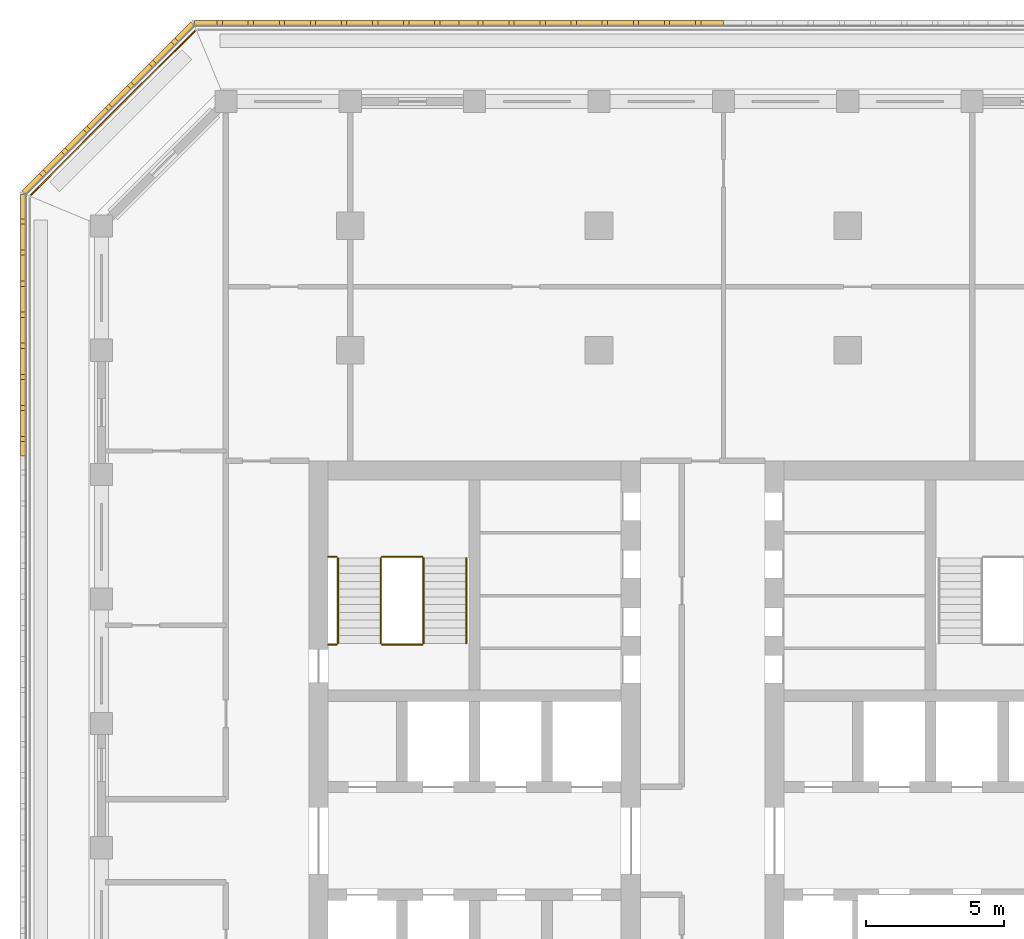
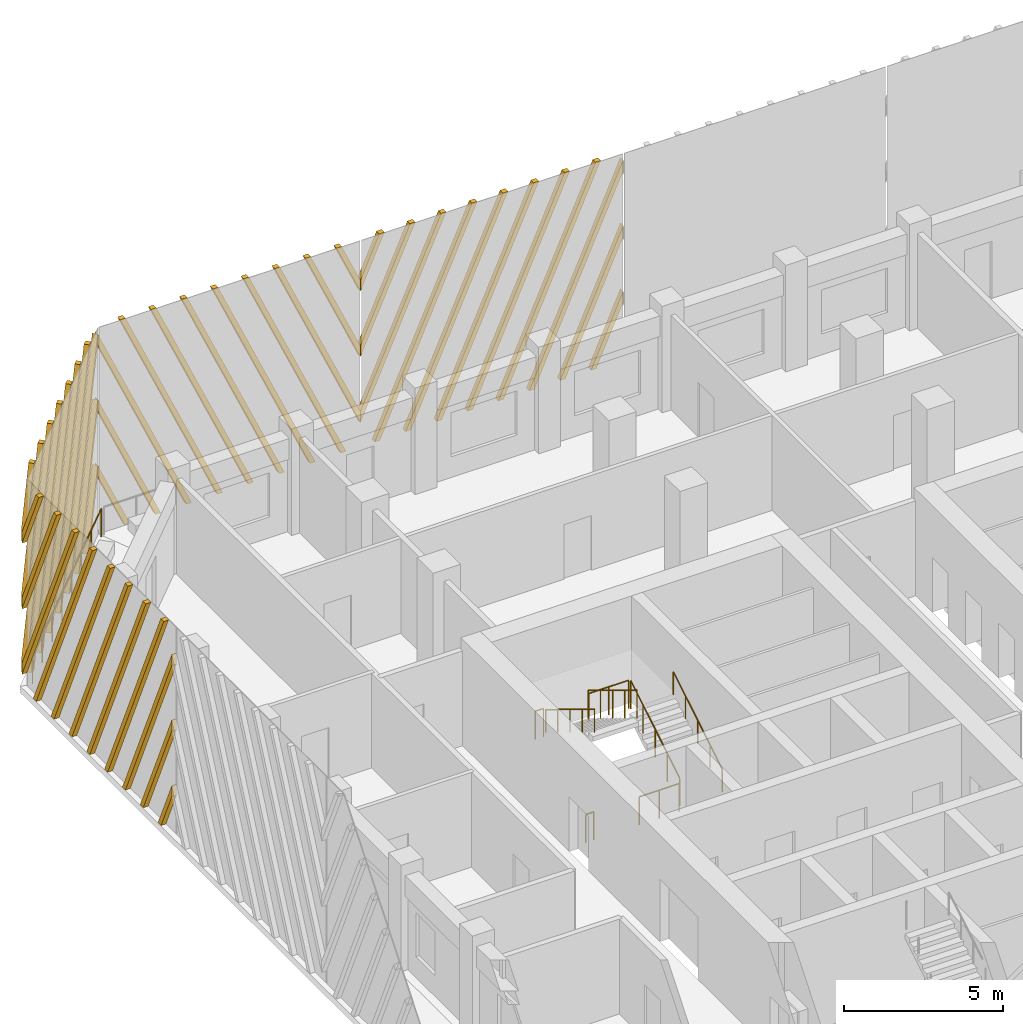
# One storey, part 14 of 17: 9 railings, 4 shading devices.
"""IFC4 building model written with IfcOpenShell, lengths in metres."""

from ifc_helpers import new_model, si_unit, direction, frame, origin, origin_2d, place, context, subcontext, project, spatial, polyline, circle, outline, extrude, source, transform, mapped, material, type_object, element, save


model = new_model("IFC4")

# Units and contexts
model_context = context("Model", 3, precision=1e-05, world=origin(), true_north=direction((0.0, 1.0)))
body_context = subcontext(model_context, "Body", "Model", "MODEL_VIEW")
ifc_project = project(units=[si_unit("LENGTHUNIT", "METRE"), si_unit("AREAUNIT", "SQUARE_METRE"), si_unit("VOLUMEUNIT", "CUBIC_METRE"), si_unit("PLANEANGLEUNIT", "RADIAN"), si_unit("MASSUNIT", "GRAM", prefix="KILO")], contexts=[model_context])

# Site, building, storey
site_placement = place(None, origin())
site = spatial("IfcSite", under=ifc_project, at=site_placement, CompositionType="ELEMENT")
building_placement = place(site_placement, origin())
building = spatial("IfcBuilding", under=site, at=building_placement, Name="Corbel Stack Research Tower", CompositionType="ELEMENT")
storey_placement = place(building_placement, frame((0.0, 0.0, 239.800048828125)))
storey = spatial("IfcBuildingStorey", under=building, at=storey_placement, Name="L54", CompositionType="ELEMENT", Elevation=239.800048828125)

# Railings
ifc_material_1 = material(Name="Steel S355", Category="steel")
railing_type_1 = type_object("IfcRailingType", Name="Stair guard 1100", PredefinedType="GUARDRAIL", material=ifc_material_1)
railing_1_placement = place(storey_placement, frame((-6.35009765625, 11.89990234375, 0.1708984375)))
element("IfcRailing", 1, at=railing_1_placement, inside=storey, type_object=railing_type_1, Name="L54 ST-W2 stair guard 1", PredefinedType="GUARDRAIL", context=body_context, shape_type="SweptSolid", body=[
    extrude(circle(Radius=0.02392578125, at=origin_2d()), frame((0.0, 0.0, 1.076171875), z_axis=(0.0, 0.853666305674, 0.52082035152), x_axis=(-1.0, 0.0, 0.0)), (0.0, 0.0, 1.0), 3.608154296875),
    extrude(circle(Radius=0.02099609375, at=origin_2d()), origin(), (0.0, 0.0, 1.0), 1.052001953125),
    extrude(circle(Radius=0.02099609375, at=origin_2d()), frame((0.0, 0.77001953125, 0.4697265625)), (0.0, 0.0, 1.0), 1.052001953125),
    extrude(circle(Radius=0.02099609375, at=origin_2d()), frame((0.0, 1.5400390625, 0.939453125)), (0.0, 0.0, 1.0), 1.052001953125),
    extrude(circle(Radius=0.02099609375, at=origin_2d()), frame((0.0, 2.31005859375, 1.409423828125)), (0.0, 0.0, 1.0), 1.052001953125),
    extrude(circle(Radius=0.02099609375, at=origin_2d()), frame((0.0, 3.080078125, 1.879150390625)), (0.0, 0.0, 1.0), 1.052001953125),
])
railing_2_placement = place(storey_placement, frame((-6.39990234375, 15.030029296875, 2.050048828125)))
element("IfcRailing", 2, at=railing_2_placement, inside=storey, type_object=railing_type_1, Name="L54 ST-W2 stair guard 2", PredefinedType="GUARDRAIL", context=body_context, shape_type="SweptSolid", body=[
    extrude(circle(Radius=0.02392578125, at=origin_2d()), frame((0.0, 0.0, 1.076171875), z_axis=(-1.0, 0.0, 0.0), x_axis=(0.0, -1.0, 0.0)), (0.0, 0.0, 1.0), 1.4501953125),
    extrude(circle(Radius=0.02099609375, at=origin_2d()), origin(), (0.0, 0.0, 1.0), 1.052001953125),
    extrude(circle(Radius=0.02099609375, at=origin_2d()), frame((-0.72509765625, 0.0, 0.0)), (0.0, 0.0, 1.0), 1.052001953125),
    extrude(circle(Radius=0.02099609375, at=origin_2d()), frame((-1.4501953125, 0.0, 0.0)), (0.0, 0.0, 1.0), 1.052001953125),
])
railing_3_placement = place(storey_placement, frame((-9.5, 15.030029296875, 2.050048828125)))
element("IfcRailing", 3, at=railing_3_placement, inside=storey, type_object=railing_type_1, Name="L54 ST-W2 stair guard 3", PredefinedType="GUARDRAIL", context=body_context, shape_type="SweptSolid", body=[
    extrude(circle(Radius=0.02392578125, at=origin_2d()), frame((0.0, 0.0, 1.076171875), z_axis=(-1.0, 0.0, 0.0), x_axis=(0.0, -1.0, 0.0)), (0.0, 0.0, 1.0), 0.300048828125),
    extrude(circle(Radius=0.02099609375, at=origin_2d()), origin(), (0.0, 0.0, 1.0), 1.052001953125),
    extrude(circle(Radius=0.02099609375, at=origin_2d()), frame((-0.300048828125, 0.0, 0.0)), (0.0, 0.0, 1.0), 1.052001953125),
])
railing_4_placement = place(storey_placement, frame((-7.89990234375, 14.97998046875, 2.220703125)))
element("IfcRailing", 4, at=railing_4_placement, inside=storey, type_object=railing_type_1, Name="L54 ST-W2 stair guard 4", PredefinedType="GUARDRAIL", context=body_context, shape_type="SweptSolid", body=[
    extrude(circle(Radius=0.02392578125, at=origin_2d()), frame((0.0, 0.0, 1.076171875), z_axis=(0.0, -0.853666305674, 0.52082035152), x_axis=(1.0, 0.0, 0.0)), (0.0, 0.0, 1.0), 3.608154296875),
    extrude(circle(Radius=0.02099609375, at=origin_2d()), origin(), (0.0, 0.0, 1.0), 1.052001953125),
    extrude(circle(Radius=0.02099609375, at=origin_2d()), frame((0.0, -0.77001953125, 0.4697265625)), (0.0, 0.0, 1.0), 1.052001953125),
    extrude(circle(Radius=0.02099609375, at=origin_2d()), frame((0.0, -1.5400390625, 0.939453125)), (0.0, 0.0, 1.0), 1.052001953125),
    extrude(circle(Radius=0.02099609375, at=origin_2d()), frame((0.0, -2.31005859375, 1.409423828125)), (0.0, 0.0, 1.0), 1.052001953125),
    extrude(circle(Radius=0.02099609375, at=origin_2d()), frame((0.0, -3.080078125, 1.879150390625)), (0.0, 0.0, 1.0), 1.052001953125),
])
railing_5_placement = place(storey_placement, frame((-6.39990234375, 11.85009765625, 0.0)))
element("IfcRailing", 5, at=railing_5_placement, inside=storey, type_object=railing_type_1, Name="L54 ST-W2 stair guard 5", PredefinedType="GUARDRAIL", context=body_context, shape_type="SweptSolid", body=[
    extrude(circle(Radius=0.02392578125, at=origin_2d()), frame((0.0, 0.0, 1.076171875), z_axis=(-1.0, 0.0, 0.0), x_axis=(0.0, -1.0, 0.0)), (0.0, 0.0, 1.0), 1.4501953125),
    extrude(circle(Radius=0.02099609375, at=origin_2d()), origin(), (0.0, 0.0, 1.0), 1.052001953125),
    extrude(circle(Radius=0.02099609375, at=origin_2d()), frame((-0.72509765625, 0.0, 0.0)), (0.0, 0.0, 1.0), 1.052001953125),
    extrude(circle(Radius=0.02099609375, at=origin_2d()), frame((-1.4501953125, 0.0, 0.0)), (0.0, 0.0, 1.0), 1.052001953125),
])
railing_6_placement = place(storey_placement, frame((-9.5, 11.85009765625, 0.0)))
element("IfcRailing", 6, at=railing_6_placement, inside=storey, type_object=railing_type_1, Name="L54 ST-W2 stair guard 6", PredefinedType="GUARDRAIL", context=body_context, shape_type="SweptSolid", body=[
    extrude(circle(Radius=0.02392578125, at=origin_2d()), frame((0.0, 0.0, 1.076171875), z_axis=(-1.0, 0.0, 0.0), x_axis=(0.0, -1.0, 0.0)), (0.0, 0.0, 1.0), 0.300048828125),
    extrude(circle(Radius=0.02099609375, at=origin_2d()), origin(), (0.0, 0.0, 1.0), 1.052001953125),
    extrude(circle(Radius=0.02099609375, at=origin_2d()), frame((-0.300048828125, 0.0, 0.0)), (0.0, 0.0, 1.0), 1.052001953125),
])
ifc_material_2 = material(Name="Steel S355", Category="steel")
railing_type_2 = type_object("IfcRailingType", Name="Stair handrail 900", PredefinedType="HANDRAIL", material=ifc_material_2)
railing_7_placement = place(storey_placement, frame((-4.800048828125, 11.89990234375, 0.1708984375)))
element("IfcRailing", 7, at=railing_7_placement, inside=storey, type_object=railing_type_2, Name="L54 ST-W2 stair handrail 1", PredefinedType="HANDRAIL", context=body_context, shape_type="SweptSolid", body=[
    extrude(circle(Radius=0.02392578125, at=origin_2d()), frame((0.0, 0.0, 0.8759765625), z_axis=(0.0, 0.853666305674, 0.52082035152), x_axis=(-1.0, 0.0, 0.0)), (0.0, 0.0, 1.0), 3.608154296875),
    extrude(circle(Radius=0.02099609375, at=origin_2d()), origin(), (0.0, 0.0, 1.0), 0.851806640625),
    extrude(circle(Radius=0.02099609375, at=origin_2d()), frame((0.0, 0.77001953125, 0.4697265625)), (0.0, 0.0, 1.0), 0.851806640625),
    extrude(circle(Radius=0.02099609375, at=origin_2d()), frame((0.0, 1.5400390625, 0.939453125)), (0.0, 0.0, 1.0), 0.851806640625),
    extrude(circle(Radius=0.02099609375, at=origin_2d()), frame((0.0, 2.31005859375, 1.409423828125)), (0.0, 0.0, 1.0), 0.851806640625),
    extrude(circle(Radius=0.02099609375, at=origin_2d()), frame((0.0, 3.080078125, 1.879150390625)), (0.0, 0.0, 1.0), 0.851806640625),
])
railing_8_placement = place(storey_placement, frame((-9.449951171875, 14.97998046875, 2.220703125)))
element("IfcRailing", 8, at=railing_8_placement, inside=storey, type_object=railing_type_2, Name="L54 ST-W2 stair handrail 2", PredefinedType="HANDRAIL", context=body_context, shape_type="SweptSolid", body=[
    extrude(circle(Radius=0.02392578125, at=origin_2d()), frame((0.0, 0.0, 0.8759765625), z_axis=(0.0, -0.853666305674, 0.52082035152), x_axis=(1.0, 0.0, 0.0)), (0.0, 0.0, 1.0), 3.608154296875),
    extrude(circle(Radius=0.02099609375, at=origin_2d()), origin(), (0.0, 0.0, 1.0), 0.851806640625),
    extrude(circle(Radius=0.02099609375, at=origin_2d()), frame((0.0, -0.77001953125, 0.4697265625)), (0.0, 0.0, 1.0), 0.851806640625),
    extrude(circle(Radius=0.02099609375, at=origin_2d()), frame((0.0, -1.5400390625, 0.939453125)), (0.0, 0.0, 1.0), 0.851806640625),
    extrude(circle(Radius=0.02099609375, at=origin_2d()), frame((0.0, -2.31005859375, 1.409423828125)), (0.0, 0.0, 1.0), 0.851806640625),
    extrude(circle(Radius=0.02099609375, at=origin_2d()), frame((0.0, -3.080078125, 1.879150390625)), (0.0, 0.0, 1.0), 0.851806640625),
])
ifc_material_3 = material(Name="Powder-coated steel guard", Category="steel")
railing_type_3 = type_object("IfcRailingType", Name="Steel and glass guard 1100", PredefinedType="GUARDRAIL", material=ifc_material_3)
railing_9_placement = place(storey_placement, frame((-14.627685546875, 34.04931640625, 0.0)))
element("IfcRailing", 9, at=railing_9_placement, inside=storey, type_object=railing_type_3, Name="Loggia guard L54 NW", PredefinedType="GUARDRAIL", context=body_context, shape_type="SweptSolid", body=[
    extrude(circle(Radius=0.02392578125, at=origin_2d()), frame((0.0, 0.0, 1.076171875), z_axis=(-0.707106781187, -0.707106781187, 0.0), x_axis=(0.707106781187, -0.707106781187, 0.0)), (0.0, 0.0, 1.0), 8.37451171875),
    extrude(circle(Radius=0.02099609375, at=origin_2d()), origin(), (0.0, 0.0, 1.0), 1.052001953125),
    extrude(circle(Radius=0.02099609375, at=origin_2d()), frame((-0.845947265625, -0.845947265625, 0.0)), (0.0, 0.0, 1.0), 1.052001953125),
    extrude(circle(Radius=0.02099609375, at=origin_2d()), frame((-1.69189453125, -1.69189453125, 0.0)), (0.0, 0.0, 1.0), 1.052001953125),
    extrude(circle(Radius=0.02099609375, at=origin_2d()), frame((-2.537841796875, -2.537841796875, 0.0)), (0.0, 0.0, 1.0), 1.052001953125),
    extrude(circle(Radius=0.02099609375, at=origin_2d()), frame((-3.3837890625, -3.3837890625, 0.0)), (0.0, 0.0, 1.0), 1.052001953125),
    extrude(circle(Radius=0.02099609375, at=origin_2d()), frame((-4.229736328125, -4.229736328125, 0.0)), (0.0, 0.0, 1.0), 1.052001953125),
    extrude(circle(Radius=0.02099609375, at=origin_2d()), frame((-5.07568359375, -5.07568359375, 0.0)), (0.0, 0.0, 1.0), 1.052001953125),
    extrude(circle(Radius=0.02099609375, at=origin_2d()), frame((-5.921630859375, -5.921630859375, 0.0)), (0.0, 0.0, 1.0), 1.052001953125),
])

# Shading devices
ifc_material_4 = material(Name="Precast terracotta", Category="masonry")
shading_device_type = type_object("IfcShadingDeviceType", Name="Terracotta screen panel", PredefinedType="USERDEFINED", material=ifc_material_4)
shared_shape_1 = source(origin(), body_context, "Body", "SweptSolid", [
    extrude(outline(polyline([(1.072998046875, 7.949951171875), (0.883056640625, 7.949951171875), (0.0, 5.966552734375), (0.0, 5.539794921875), (1.072998046875, 7.949951171875)])), frame((0.0, 0.0, 0.0), z_axis=(0.0, -1.0, 0.0), x_axis=(1.0, 0.0, 0.0)), (0.0, 0.0, 1.0), 0.179931640625),
    extrude(outline(polyline([(2.197998046875, 7.949951171875), (2.008056640625, 7.949951171875), (0.0, 3.439697265625), (0.0, 3.01318359375), (2.197998046875, 7.949951171875)])), frame((0.0, 0.0, 0.0), z_axis=(0.0, -1.0, 0.0), x_axis=(1.0, 0.0, 0.0)), (0.0, 0.0, 1.0), 0.179931640625),
    extrude(outline(polyline([(3.322998046875, 7.949951171875), (3.133056640625, 7.949951171875), (0.0, 0.9130859375), (0.0, 0.486328125), (3.322998046875, 7.949951171875)])), frame((0.0, 0.0, 0.0), z_axis=(0.0, -1.0, 0.0), x_axis=(1.0, 0.0, 0.0)), (0.0, 0.0, 1.0), 0.179931640625),
    extrude(outline(polyline([(0.908447265625, 0.0), (4.447998046875, 7.949951171875), (4.258056640625, 7.949951171875), (0.718505859375, 0.0), (0.908447265625, 0.0)])), frame((0.0, 0.0, 0.0), z_axis=(0.0, -1.0, 0.0), x_axis=(1.0, 0.0, 0.0)), (0.0, 0.0, 1.0), 0.179931640625),
    extrude(outline(polyline([(2.033447265625, 0.0), (5.572998046875, 7.949951171875), (5.383056640625, 7.949951171875), (1.843505859375, 0.0), (2.033447265625, 0.0)])), frame((0.0, 0.0, 0.0), z_axis=(0.0, -1.0, 0.0), x_axis=(1.0, 0.0, 0.0)), (0.0, 0.0, 1.0), 0.179931640625),
    extrude(outline(polyline([(3.158447265625, 0.0), (6.697998046875, 7.949951171875), (6.508056640625, 7.949951171875), (2.968505859375, 0.0), (3.158447265625, 0.0)])), frame((0.0, 0.0, 0.0), z_axis=(0.0, -1.0, 0.0), x_axis=(1.0, 0.0, 0.0)), (0.0, 0.0, 1.0), 0.179931640625),
    extrude(outline(polyline([(4.283447265625, 0.0), (7.822998046875, 7.949951171875), (7.633056640625, 7.949951171875), (4.093505859375, 0.0), (4.283447265625, 0.0)])), frame((0.0, 0.0, 0.0), z_axis=(0.0, -1.0, 0.0), x_axis=(1.0, 0.0, 0.0)), (0.0, 0.0, 1.0), 0.179931640625),
    extrude(outline(polyline([(5.408447265625, 0.0), (8.947998046875, 7.949951171875), (8.758056640625, 7.949951171875), (5.218505859375, 0.0), (5.408447265625, 0.0)])), frame((0.0, 0.0, 0.0), z_axis=(0.0, -1.0, 0.0), x_axis=(1.0, 0.0, 0.0)), (0.0, 0.0, 1.0), 0.179931640625),
    extrude(outline(polyline([(6.533447265625, 0.0), (9.45556640625, 6.563232421875), (9.45556640625, 6.989990234375), (6.343505859375, 0.0), (6.533447265625, 0.0)])), frame((0.0, 0.0, 0.0), z_axis=(0.0, -1.0, 0.0), x_axis=(1.0, 0.0, 0.0)), (0.0, 0.0, 1.0), 0.179931640625),
    extrude(outline(polyline([(7.658447265625, 0.0), (9.45556640625, 4.036376953125), (9.45556640625, 4.463134765625), (7.468505859375, 0.0), (7.658447265625, 0.0)])), frame((0.0, 0.0, 0.0), z_axis=(0.0, -1.0, 0.0), x_axis=(1.0, 0.0, 0.0)), (0.0, 0.0, 1.0), 0.179931640625),
    extrude(outline(polyline([(8.783447265625, 0.0), (9.45556640625, 1.509521484375), (9.45556640625, 1.936279296875), (8.593505859375, 0.0), (8.783447265625, 0.0)])), frame((0.0, 0.0, 0.0), z_axis=(0.0, -1.0, 0.0), x_axis=(1.0, 0.0, 0.0)), (0.0, 0.0, 1.0), 0.179931640625),
])
shading_device_1_placement = place(storey_placement, frame((-20.75, 28.13916015625, 0.0), z_axis=(0.0, 0.0, 1.0), x_axis=(0.0, -1.0, 0.0)))
element("IfcShadingDevice", 10, at=shading_device_1_placement, inside=storey, type_object=shading_device_type, Name="Terracotta screen L54 W1", ObjectType="SCREEN", PredefinedType="USERDEFINED", context=body_context, shape_type="MappedRepresentation", body=[
    mapped(shared_shape_1, transform((0.0, 0.0, 0.0))),
])
shared_shape_2 = source(origin(), body_context, "Body", "SweptSolid", [
    extrude(outline(polyline([(1.173583984375, 0.0), (0.0, 2.635986328125), (0.0, 2.209228515625), (0.983642578125, 0.0), (1.173583984375, 0.0)])), frame((0.0, 0.0, 0.0), z_axis=(0.0, -1.0, 0.0), x_axis=(1.0, 0.0, 0.0)), (0.0, 0.0, 1.0), 0.179931640625),
    extrude(outline(polyline([(2.298583984375, 0.0), (0.0, 5.162841796875), (0.0, 4.736083984375), (2.108642578125, 0.0), (2.298583984375, 0.0)])), frame((0.0, 0.0, 0.0), z_axis=(0.0, -1.0, 0.0), x_axis=(1.0, 0.0, 0.0)), (0.0, 0.0, 1.0), 0.179931640625),
    extrude(outline(polyline([(3.423583984375, 0.0), (0.0, 7.689697265625), (0.0, 7.262939453125), (3.233642578125, 0.0), (3.423583984375, 0.0)])), frame((0.0, 0.0, 0.0), z_axis=(0.0, -1.0, 0.0), x_axis=(1.0, 0.0, 0.0)), (0.0, 0.0, 1.0), 0.179931640625),
    extrude(outline(polyline([(4.548583984375, 0.0), (1.009033203125, 7.949951171875), (0.819091796875, 7.949951171875), (4.358642578125, 0.0), (4.548583984375, 0.0)])), frame((0.0, 0.0, 0.0), z_axis=(0.0, -1.0, 0.0), x_axis=(1.0, 0.0, 0.0)), (0.0, 0.0, 1.0), 0.179931640625),
    extrude(outline(polyline([(5.673583984375, 0.0), (2.134033203125, 7.949951171875), (1.944091796875, 7.949951171875), (5.483642578125, 0.0), (5.673583984375, 0.0)])), frame((0.0, 0.0, 0.0), z_axis=(0.0, -1.0, 0.0), x_axis=(1.0, 0.0, 0.0)), (0.0, 0.0, 1.0), 0.179931640625),
    extrude(outline(polyline([(6.798583984375, 0.0), (3.259033203125, 7.949951171875), (3.069091796875, 7.949951171875), (6.608642578125, 0.0), (6.798583984375, 0.0)])), frame((0.0, 0.0, 0.0), z_axis=(0.0, -1.0, 0.0), x_axis=(1.0, 0.0, 0.0)), (0.0, 0.0, 1.0), 0.179931640625),
    extrude(outline(polyline([(7.923583984375, 0.0), (4.384033203125, 7.949951171875), (4.194091796875, 7.949951171875), (7.733642578125, 0.0), (7.923583984375, 0.0)])), frame((0.0, 0.0, 0.0), z_axis=(0.0, -1.0, 0.0), x_axis=(1.0, 0.0, 0.0)), (0.0, 0.0, 1.0), 0.179931640625),
    extrude(outline(polyline([(9.048583984375, 0.0), (5.509033203125, 7.949951171875), (5.319091796875, 7.949951171875), (8.858642578125, 0.0), (9.048583984375, 0.0)])), frame((0.0, 0.0, 0.0), z_axis=(0.0, -1.0, 0.0), x_axis=(1.0, 0.0, 0.0)), (0.0, 0.0, 1.0), 0.179931640625),
    extrude(outline(polyline([(6.634033203125, 7.949951171875), (6.444091796875, 7.949951171875), (9.569580078125, 0.93017578125), (9.569580078125, 1.356689453125), (6.634033203125, 7.949951171875)])), frame((0.0, 0.0, 0.0), z_axis=(0.0, -1.0, 0.0), x_axis=(1.0, 0.0, 0.0)), (0.0, 0.0, 1.0), 0.179931640625),
    extrude(outline(polyline([(7.759033203125, 7.949951171875), (7.569091796875, 7.949951171875), (9.569580078125, 3.456787109375), (9.569580078125, 3.883544921875), (7.759033203125, 7.949951171875)])), frame((0.0, 0.0, 0.0), z_axis=(0.0, -1.0, 0.0), x_axis=(1.0, 0.0, 0.0)), (0.0, 0.0, 1.0), 0.179931640625),
    extrude(outline(polyline([(8.884033203125, 7.949951171875), (8.694091796875, 7.949951171875), (9.569580078125, 5.983642578125), (9.569580078125, 6.410400390625), (8.884033203125, 7.949951171875)])), frame((0.0, 0.0, 0.0), z_axis=(0.0, -1.0, 0.0), x_axis=(1.0, 0.0, 0.0)), (0.0, 0.0, 1.0), 0.179931640625),
])
shading_device_2_placement = place(storey_placement, frame((4.5, 34.25, 0.0), z_axis=(0.0, 0.0, 1.0), x_axis=(-1.0, 0.0, 0.0)))
element("IfcShadingDevice", 11, at=shading_device_2_placement, inside=storey, type_object=shading_device_type, Name="Terracotta screen L54 N3", ObjectType="SCREEN", PredefinedType="USERDEFINED", context=body_context, shape_type="MappedRepresentation", body=[
    mapped(shared_shape_2, transform((0.0, 0.0, 0.0))),
])
shared_shape_3 = source(origin(), body_context, "Body", "SweptSolid", [
    extrude(outline(polyline([(0.87548828125, 7.949951171875), (0.685546875, 7.949951171875), (0.0, 6.410400390625), (0.0, 5.983642578125), (0.87548828125, 7.949951171875)])), frame((0.0, 0.0, 0.0), z_axis=(0.0, -1.0, 0.0), x_axis=(1.0, 0.0, 0.0)), (0.0, 0.0, 1.0), 0.179931640625),
    extrude(outline(polyline([(2.00048828125, 7.949951171875), (1.810546875, 7.949951171875), (0.0, 3.883544921875), (0.0, 3.456787109375), (2.00048828125, 7.949951171875)])), frame((0.0, 0.0, 0.0), z_axis=(0.0, -1.0, 0.0), x_axis=(1.0, 0.0, 0.0)), (0.0, 0.0, 1.0), 0.179931640625),
    extrude(outline(polyline([(3.12548828125, 7.949951171875), (2.935546875, 7.949951171875), (0.0, 1.356689453125), (0.0, 0.93017578125), (3.12548828125, 7.949951171875)])), frame((0.0, 0.0, 0.0), z_axis=(0.0, -1.0, 0.0), x_axis=(1.0, 0.0, 0.0)), (0.0, 0.0, 1.0), 0.179931640625),
    extrude(outline(polyline([(0.7109375, 0.0), (4.25048828125, 7.949951171875), (4.060546875, 7.949951171875), (0.52099609375, 0.0), (0.7109375, 0.0)])), frame((0.0, 0.0, 0.0), z_axis=(0.0, -1.0, 0.0), x_axis=(1.0, 0.0, 0.0)), (0.0, 0.0, 1.0), 0.179931640625),
    extrude(outline(polyline([(1.8359375, 0.0), (5.37548828125, 7.949951171875), (5.185546875, 7.949951171875), (1.64599609375, 0.0), (1.8359375, 0.0)])), frame((0.0, 0.0, 0.0), z_axis=(0.0, -1.0, 0.0), x_axis=(1.0, 0.0, 0.0)), (0.0, 0.0, 1.0), 0.179931640625),
    extrude(outline(polyline([(2.9609375, 0.0), (6.50048828125, 7.949951171875), (6.310546875, 7.949951171875), (2.77099609375, 0.0), (2.9609375, 0.0)])), frame((0.0, 0.0, 0.0), z_axis=(0.0, -1.0, 0.0), x_axis=(1.0, 0.0, 0.0)), (0.0, 0.0, 1.0), 0.179931640625),
    extrude(outline(polyline([(4.0859375, 0.0), (7.62548828125, 7.949951171875), (7.435546875, 7.949951171875), (3.89599609375, 0.0), (4.0859375, 0.0)])), frame((0.0, 0.0, 0.0), z_axis=(0.0, -1.0, 0.0), x_axis=(1.0, 0.0, 0.0)), (0.0, 0.0, 1.0), 0.179931640625),
    extrude(outline(polyline([(5.2109375, 0.0), (8.75048828125, 7.949951171875), (8.560546875, 7.949951171875), (5.02099609375, 0.0), (5.2109375, 0.0)])), frame((0.0, 0.0, 0.0), z_axis=(0.0, -1.0, 0.0), x_axis=(1.0, 0.0, 0.0)), (0.0, 0.0, 1.0), 0.179931640625),
    extrude(outline(polyline([(6.3359375, 0.0), (9.569580078125, 7.262939453125), (9.569580078125, 7.689697265625), (6.14599609375, 0.0), (6.3359375, 0.0)])), frame((0.0, 0.0, 0.0), z_axis=(0.0, -1.0, 0.0), x_axis=(1.0, 0.0, 0.0)), (0.0, 0.0, 1.0), 0.179931640625),
    extrude(outline(polyline([(7.4609375, 0.0), (9.569580078125, 4.736083984375), (9.569580078125, 5.162841796875), (7.27099609375, 0.0), (7.4609375, 0.0)])), frame((0.0, 0.0, 0.0), z_axis=(0.0, -1.0, 0.0), x_axis=(1.0, 0.0, 0.0)), (0.0, 0.0, 1.0), 0.179931640625),
    extrude(outline(polyline([(8.5859375, 0.0), (9.569580078125, 2.209228515625), (9.569580078125, 2.635986328125), (8.39599609375, 0.0), (8.5859375, 0.0)])), frame((0.0, 0.0, 0.0), z_axis=(0.0, -1.0, 0.0), x_axis=(1.0, 0.0, 0.0)), (0.0, 0.0, 1.0), 0.179931640625),
])
shading_device_3_placement = place(storey_placement, frame((-5.069580078125, 34.25, 0.0), z_axis=(0.0, 0.0, 1.0), x_axis=(-1.0, 0.0, 0.0)))
element("IfcShadingDevice", 12, at=shading_device_3_placement, inside=storey, type_object=shading_device_type, Name="Terracotta screen L54 N4", ObjectType="SCREEN", PredefinedType="USERDEFINED", context=body_context, shape_type="MappedRepresentation", body=[
    mapped(shared_shape_3, transform((0.0, 0.0, 0.0))),
])
shared_shape_4 = source(origin(), body_context, "Body", "SweptSolid", [
    extrude(outline(polyline([(1.173583984375, 0.0), (0.0, 2.635986328125), (0.0, 2.209228515625), (0.983642578125, 0.0), (1.173583984375, 0.0)])), frame((0.0, 0.0, 0.0), z_axis=(0.0, -1.0, 0.0), x_axis=(1.0, 0.0, 0.0)), (0.0, 0.0, 1.0), 0.179931640625),
    extrude(outline(polyline([(2.298583984375, 0.0), (0.0, 5.162841796875), (0.0, 4.736083984375), (2.108642578125, 0.0), (2.298583984375, 0.0)])), frame((0.0, 0.0, 0.0), z_axis=(0.0, -1.0, 0.0), x_axis=(1.0, 0.0, 0.0)), (0.0, 0.0, 1.0), 0.179931640625),
    extrude(outline(polyline([(3.423583984375, 0.0), (0.0, 7.689697265625), (0.0, 7.262939453125), (3.233642578125, 0.0), (3.423583984375, 0.0)])), frame((0.0, 0.0, 0.0), z_axis=(0.0, -1.0, 0.0), x_axis=(1.0, 0.0, 0.0)), (0.0, 0.0, 1.0), 0.179931640625),
    extrude(outline(polyline([(4.548583984375, 0.0), (1.009033203125, 7.949951171875), (0.819091796875, 7.949951171875), (4.358642578125, 0.0), (4.548583984375, 0.0)])), frame((0.0, 0.0, 0.0), z_axis=(0.0, -1.0, 0.0), x_axis=(1.0, 0.0, 0.0)), (0.0, 0.0, 1.0), 0.179931640625),
    extrude(outline(polyline([(5.673583984375, 0.0), (2.134033203125, 7.949951171875), (1.944091796875, 7.949951171875), (5.483642578125, 0.0), (5.673583984375, 0.0)])), frame((0.0, 0.0, 0.0), z_axis=(0.0, -1.0, 0.0), x_axis=(1.0, 0.0, 0.0)), (0.0, 0.0, 1.0), 0.179931640625),
    extrude(outline(polyline([(6.798583984375, 0.0), (3.259033203125, 7.949951171875), (3.069091796875, 7.949951171875), (6.608642578125, 0.0), (6.798583984375, 0.0)])), frame((0.0, 0.0, 0.0), z_axis=(0.0, -1.0, 0.0), x_axis=(1.0, 0.0, 0.0)), (0.0, 0.0, 1.0), 0.179931640625),
    extrude(outline(polyline([(7.923583984375, 0.0), (4.384033203125, 7.949951171875), (4.194091796875, 7.949951171875), (7.733642578125, 0.0), (7.923583984375, 0.0)])), frame((0.0, 0.0, 0.0), z_axis=(0.0, -1.0, 0.0), x_axis=(1.0, 0.0, 0.0)), (0.0, 0.0, 1.0), 0.179931640625),
    extrude(outline(polyline([(5.509033203125, 7.949951171875), (5.319091796875, 7.949951171875), (8.64208984375, 0.486328125), (8.64208984375, 0.9130859375), (5.509033203125, 7.949951171875)])), frame((0.0, 0.0, 0.0), z_axis=(0.0, -1.0, 0.0), x_axis=(1.0, 0.0, 0.0)), (0.0, 0.0, 1.0), 0.179931640625),
    extrude(outline(polyline([(6.634033203125, 7.949951171875), (6.444091796875, 7.949951171875), (8.64208984375, 3.01318359375), (8.64208984375, 3.439697265625), (6.634033203125, 7.949951171875)])), frame((0.0, 0.0, 0.0), z_axis=(0.0, -1.0, 0.0), x_axis=(1.0, 0.0, 0.0)), (0.0, 0.0, 1.0), 0.179931640625),
    extrude(outline(polyline([(7.759033203125, 7.949951171875), (7.569091796875, 7.949951171875), (8.64208984375, 5.539794921875), (8.64208984375, 5.966552734375), (7.759033203125, 7.949951171875)])), frame((0.0, 0.0, 0.0), z_axis=(0.0, -1.0, 0.0), x_axis=(1.0, 0.0, 0.0)), (0.0, 0.0, 1.0), 0.179931640625),
])
shading_device_4_placement = place(storey_placement, frame((-14.63916015625, 34.25, 0.0), z_axis=(0.0, 0.0, 1.0), x_axis=(-0.707106781187, -0.707106781187, 0.0)))
element("IfcShadingDevice", 13, at=shading_device_4_placement, inside=storey, type_object=shading_device_type, Name="Terracotta screen L54 NW1", ObjectType="SCREEN", PredefinedType="USERDEFINED", context=body_context, shape_type="MappedRepresentation", body=[
    mapped(shared_shape_4, transform((0.0, 0.0, 0.0))),
])

save(model, "model.ifc")
